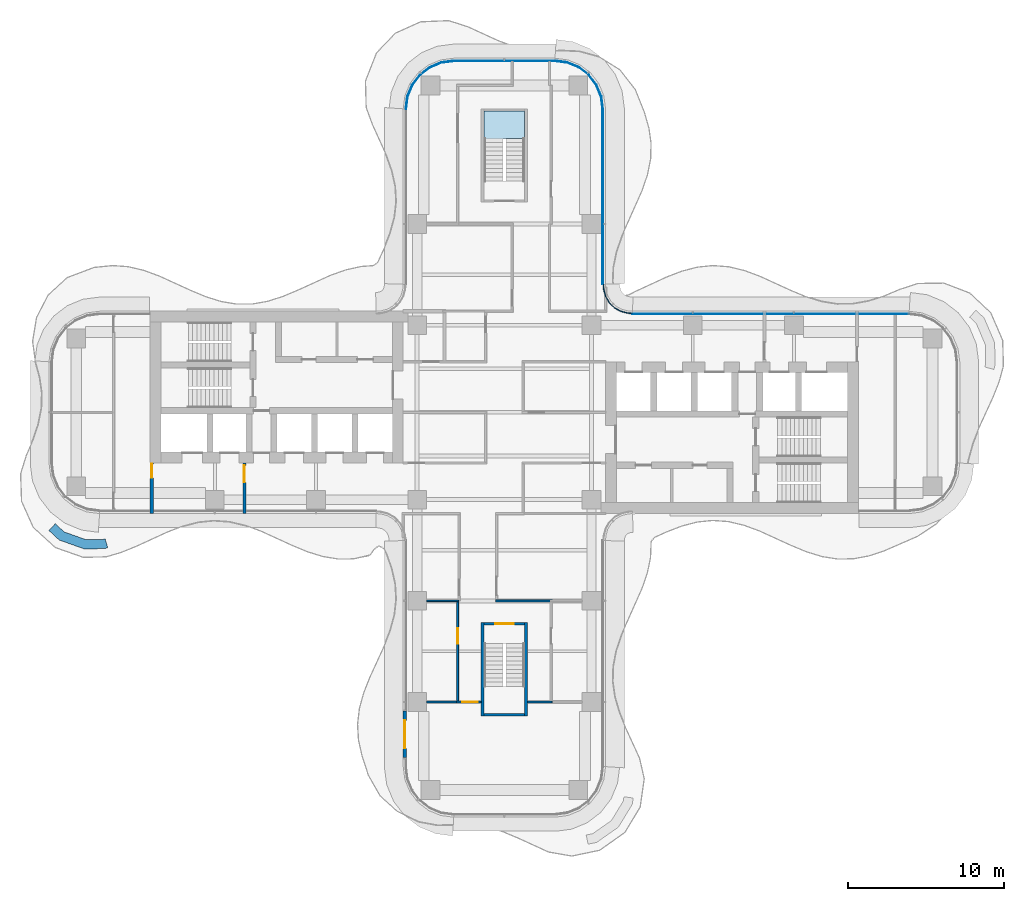
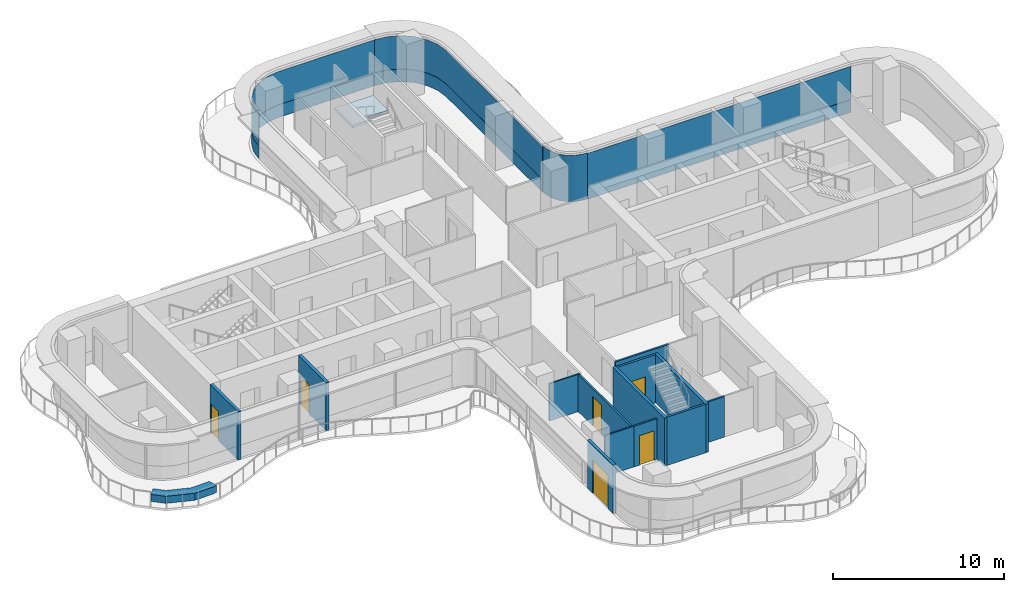
# One storey, part 11 of 17: 14 walls, 7 plates, 6 doors, 1 slab, 6 openings, 5 elements without a shape of their own.
"""IFC4 building model written with IfcOpenShell, lengths in metres."""

import ifcopenshell
import ifcopenshell.guid

model = None  # the IFC model being written
_history = None  # IfcOwnerHistory: only IFC2X3 demands one
_inside = {}  # id of a spatial element -> (the spatial element, [elements in it])
_under = {}  # id of a project, library or spatial element -> (it, [spatial elements below it])
_declared = {}  # id of a project -> (the project, [libraries it declares])
_typed = {}  # id of a type object -> (the type object, [elements of that type])
_made_of = {}  # id of a material, layer set ... -> (it, [elements and type objects made of it])


def new_model(schema):
    """Start an empty IFC model of exactly this schema.

    Asked for "IFC4X3", IfcOpenShell would pick the latest addendum, in which some entities
    have other attributes; the version numbers below select the first issue.
    IFC2X3 requires an IfcOwnerHistory on every rooted entity: one is made here for all.
    """
    global model, _history
    if schema == "IFC4X3":
        model = ifcopenshell.file(schema_version=(4, 3, 0, 0))
    else:
        model = ifcopenshell.file(schema=schema)
    _inside.clear()
    _under.clear()
    _declared.clear()
    _typed.clear()
    _made_of.clear()
    _history = None
    if model.schema == "IFC2X3":
        org = make("IfcOrganization", Name="unknown")
        user = make(
            "IfcPersonAndOrganization",
            ThePerson=make("IfcPerson", FamilyName="unknown"),
            TheOrganization=org,
        )
        app = make(
            "IfcApplication",
            ApplicationDeveloper=org,
            Version="unknown",
            ApplicationFullName="unknown",
            ApplicationIdentifier="unknown",
        )
        _history = make(
            "IfcOwnerHistory",
            OwningUser=user,
            OwningApplication=app,
            ChangeAction="ADDED",
            CreationDate=0,
        )
    return model


def make(cls, **values):
    """One entity of the class cls with the attributes given. An attribute that is None is left unset."""
    return model.create_entity(
        cls, **{name: value for name, value in values.items() if value is not None}
    )


def rooted(cls, **values):
    """An entity with a GlobalId (a new one), such as an element, a storey or a relation."""
    return make(cls, GlobalId=ifcopenshell.guid.new(), OwnerHistory=_history, **values)


def si_unit(unit_type, name, prefix=None):
    """IfcSIUnit, for example si_unit("LENGTHUNIT", "METRE", prefix="MILLI")."""
    return make("IfcSIUnit", UnitType=unit_type, Prefix=prefix, Name=name)


def assignment(units):
    """IfcUnitAssignment: the units of a project."""
    return None if units is None else make("IfcUnitAssignment", Units=units)


def point(xyz):
    """IfcCartesianPoint."""
    return None if xyz is None else make("IfcCartesianPoint", Coordinates=xyz)


def direction(xyz):
    """IfcDirection."""
    return None if xyz is None else make("IfcDirection", DirectionRatios=xyz)


def frame(location, z_axis=None, x_axis=None):
    """IfcAxis2Placement3D, a coordinate frame: its origin and axes. An axis left out is left unset."""
    return make(
        "IfcAxis2Placement3D",
        Location=point(location),
        Axis=direction(z_axis),
        RefDirection=direction(x_axis),
    )


def frame_2d(location, x_axis=None):
    """IfcAxis2Placement2D, a coordinate frame in the plane: its origin and x axis."""
    return make(
        "IfcAxis2Placement2D", Location=point(location), RefDirection=direction(x_axis)
    )


def origin():
    """The frame at (0, 0, 0) with its axes left unset."""
    return frame((0.0, 0.0, 0.0))


def place(relative_to, where):
    """IfcLocalPlacement: puts the frame where relative to a parent placement (None: the world)."""
    return make(
        "IfcLocalPlacement", PlacementRelTo=relative_to, RelativePlacement=where
    )


def context(
    kind, dimensions, precision=None, world=None, true_north=None, identifier=None
):
    """IfcGeometricRepresentationContext, for example the 3D "Model" context."""
    return make(
        "IfcGeometricRepresentationContext",
        ContextIdentifier=identifier,
        ContextType=kind,
        CoordinateSpaceDimension=dimensions,
        Precision=precision,
        WorldCoordinateSystem=world,
        TrueNorth=true_north,
    )


def subcontext(parent, identifier, kind, view, scale=None):
    """IfcGeometricRepresentationSubContext, for example "Body" below "Model"."""
    return make(
        "IfcGeometricRepresentationSubContext",
        ContextIdentifier=identifier,
        ContextType=kind,
        ParentContext=parent,
        TargetScale=scale,
        TargetView=view,
    )


def project(units=None, contexts=None):
    """IfcProject with its units and contexts."""
    return rooted(
        "IfcProject",
        Name="project",
        RepresentationContexts=contexts,
        UnitsInContext=assignment(units),
    )


def spatial(cls, under=None, at=None, **own):
    """A site, building, storey or space (cls), placed at a placement, below another one or the project."""
    s = rooted(cls, ObjectPlacement=at, **own)
    if under is not None:
        _under.setdefault(under.id(), (under, []))[1].append(s)
    return s


def polyline(points):
    """IfcPolyline through the points."""
    return make("IfcPolyline", Points=[point(p) for p in points])


def profile(cls, at=None, kind="AREA", **sizes):
    """A parametric profile (cls). Its sizes go by their IFC names, for example OverallWidth=200.0."""
    return make(cls, ProfileType=kind, Position=at, **sizes)


def rectangle(**sizes):
    """IfcRectangleProfileDef."""
    return profile("IfcRectangleProfileDef", **sizes)


def outline(outer, holes=None, kind="AREA"):
    """IfcArbitraryClosedProfileDef: a profile drawn as a closed curve; with holes, ...WithVoids."""
    if holes is None:
        return make("IfcArbitraryClosedProfileDef", ProfileType=kind, OuterCurve=outer)
    return make(
        "IfcArbitraryProfileDefWithVoids",
        ProfileType=kind,
        OuterCurve=outer,
        InnerCurves=holes,
    )


def extrude(swept, where, along, depth):
    """IfcExtrudedAreaSolid: the profile swept, set in the frame where, extruded along a direction by depth."""
    return make(
        "IfcExtrudedAreaSolid",
        SweptArea=swept,
        Position=where,
        ExtrudedDirection=direction(along),
        Depth=depth,
    )


def shape(context_of_items, identifier, shape_type, items):
    """IfcShapeRepresentation: the items that make up one representation, for example the "Body"."""
    return make(
        "IfcShapeRepresentation",
        ContextOfItems=context_of_items,
        RepresentationIdentifier=identifier,
        RepresentationType=shape_type,
        Items=items,
    )


def source(mapping_origin, context_of_items, identifier, shape_type, items):
    """IfcRepresentationMap: a shape defined once, which mapped items show again and again."""
    return make(
        "IfcRepresentationMap",
        MappingOrigin=mapping_origin,
        MappedRepresentation=shape(context_of_items, identifier, shape_type, items),
    )


def transform(
    local_origin,
    x_axis=None,
    y_axis=None,
    z_axis=None,
    scale=None,
    scale2=None,
    scale3=None,
    uniform=True,
):
    """IfcCartesianTransformationOperator3D, or its non-uniform kind. x_axis, y_axis, z_axis: its Axis1, 2, 3."""
    if uniform:
        return make(
            "IfcCartesianTransformationOperator3D",
            Axis1=direction(x_axis),
            Axis2=direction(y_axis),
            LocalOrigin=point(local_origin),
            Scale=scale,
            Axis3=direction(z_axis),
        )
    return make(
        "IfcCartesianTransformationOperator3DnonUniform",
        Axis1=direction(x_axis),
        Axis2=direction(y_axis),
        LocalOrigin=point(local_origin),
        Scale=scale,
        Axis3=direction(z_axis),
        Scale2=scale2,
        Scale3=scale3,
    )


def mapped(mapping_source, mapping_target):
    """IfcMappedItem: shows the shape of a source again, moved by a transform."""
    return make(
        "IfcMappedItem", MappingSource=mapping_source, MappingTarget=mapping_target
    )


def material(Name=None, Category=None):
    """IfcMaterial."""
    return make("IfcMaterial", Name=Name, Category=Category)


def layer(
    of_material, thickness, ventilated=None, Name=None, Category=None, Priority=None
):
    """IfcMaterialLayer: one layer of a wall or slab, of a material (None: an air gap)."""
    return make(
        "IfcMaterialLayer",
        Material=of_material,
        LayerThickness=thickness,
        IsVentilated=ventilated,
        Name=Name,
        Category=Category,
        Priority=Priority,
    )


def layer_set(layers, Name=None):
    """IfcMaterialLayerSet."""
    return make("IfcMaterialLayerSet", MaterialLayers=layers, LayerSetName=Name)


def made_of(thing, what):
    """Note that an element or type object is made of a material, layer set ...; save() writes the relation."""
    if what is not None:
        _made_of.setdefault(what.id(), (what, []))[1].append(thing)
    return thing


def type_object(cls, material=None, **own):
    """A type object (cls), such as IfcWallType, which elements share."""
    return made_of(rooted(cls, **own), material)


def element(
    cls,
    number,
    at=None,
    inside=None,
    cuts=None,
    type_object=None,
    material=None,
    context=None,
    identifier="Body",
    shape_type=None,
    held_by="IfcProductDefinitionShape",
    body=None,
    shapes=None,
    **own,
):
    """One element of the class cls, such as IfcWall. Its Tag is "e" and its number.

    at: its placement. inside: the storey or other place that contains it. cuts: it is an
    opening in that element (IfcRelVoidsElement). A single representation is given by context,
    identifier, shape_type and body (its items); several are given by shapes. held_by: the class
    of the entity that holds the representations. save() writes the other relations.
    """
    e = rooted(cls, Tag="e%d" % number, ObjectPlacement=at, **own)
    if body is not None:
        shapes = [shape(context, identifier, shape_type, body)]
    if shapes is not None:
        e.Representation = make(held_by, Representations=shapes)
    if inside is not None:
        _inside.setdefault(inside.id(), (inside, []))[1].append(e)
    if cuts is not None:
        rooted(
            "IfcRelVoidsElement", RelatingBuildingElement=cuts, RelatedOpeningElement=e
        )
    if type_object is not None:
        _typed.setdefault(type_object.id(), (type_object, []))[1].append(e)
    return made_of(e, material)


def fill(opening, filler):
    """IfcRelFillsElement: the door or window that sits in an opening."""
    return rooted(
        "IfcRelFillsElement",
        RelatingOpeningElement=opening,
        RelatedBuildingElement=filler,
    )


def aggregate(whole, parts):
    """IfcRelAggregates: a whole, such as a stair, and the parts it consists of."""
    return rooted("IfcRelAggregates", RelatingObject=whole, RelatedObjects=parts)


def save(model, path):
    """Write the relations noted so far, then the file.

    IfcRelAggregates (storeys below a building ...), IfcRelContainedInSpatialStructure (elements
    in a storey), IfcRelDefinesByType, IfcRelAssociatesMaterial and IfcRelDeclares: one each for
    every whole, place, type object, material and project.
    """
    for whole, parts in _under.values():
        aggregate(whole, parts)
    for where, things in _inside.values():
        rooted(
            "IfcRelContainedInSpatialStructure",
            RelatedElements=things,
            RelatingStructure=where,
        )
    for kind, things in _typed.values():
        rooted("IfcRelDefinesByType", RelatedObjects=things, RelatingType=kind)
    for what, things in _made_of.values():
        rooted("IfcRelAssociatesMaterial", RelatedObjects=things, RelatingMaterial=what)
    for by, libraries in _declared.values():
        rooted("IfcRelDeclares", RelatingContext=by, RelatedDefinitions=libraries)
    model.write(path)


model = new_model("IFC4")

# Units and contexts
model_context = context("Model", 3, precision=1e-05, world=origin(), true_north=direction((0.0, 1.0)))
body_context = subcontext(model_context, "Body", "Model", "MODEL_VIEW")
ifc_project = project(units=[si_unit("LENGTHUNIT", "METRE"), si_unit("AREAUNIT", "SQUARE_METRE"), si_unit("VOLUMEUNIT", "CUBIC_METRE"), si_unit("PLANEANGLEUNIT", "RADIAN"), si_unit("MASSUNIT", "GRAM", prefix="KILO")], contexts=[model_context])

# Site, building, storey
site_placement = place(None, origin())
site = spatial("IfcSite", under=ifc_project, at=site_placement, CompositionType="ELEMENT")
building_placement = place(site_placement, origin())
building = spatial("IfcBuilding", under=site, at=building_placement, Name="Trellis Farm Tower", CompositionType="ELEMENT")
storey_placement = place(building_placement, frame((0.0, 0.0, 208.800048828125)))
storey = spatial("IfcBuildingStorey", under=building, at=storey_placement, Name="L46", CompositionType="ELEMENT", Elevation=208.800048828125)

# Curtain wall, plate
ifc_material_1 = material(Name="Aluminium and glass curtain wall", Category="aluminium")
ifc_layer_1 = layer(ifc_material_1, 0.18994140625)
ifc_layer_set_1 = layer_set([ifc_layer_1], Name="RIBBON CURTAIN WALL CW1")
curtain_wall_type_1 = type_object("IfcCurtainWallType", Name="RIBBON CURTAIN WALL CW1", PredefinedType="NOTDEFINED", material=ifc_layer_set_1)
placement_1 = place(storey_placement, origin())
curtain_wall_1 = element("IfcCurtainWall", 1, at=placement_1, inside=storey, type_object=curtain_wall_type_1, Name="CW1 008", PredefinedType="NOTDEFINED")
ifc_material_2 = material(Name="Clear insulated glass", Category="glass")
ifc_layer_2 = layer(ifc_material_2, 0.0400390625)
ifc_layer_set_2 = layer_set([ifc_layer_2], Name="CW1 GLASS PANEL 40")
plate_type_1 = type_object("IfcPlateType", Name="CW1 GLASS PANEL 40", PredefinedType="CURTAIN_PANEL", material=ifc_layer_set_2)
placement_2 = place(storey_placement, frame((0.0, 0.0, 0.89990234375)))
plate_1 = element("IfcPlate", 2, at=placement_2, type_object=plate_type_1, Name="PL1 008", PredefinedType="CURTAIN_PANEL", context=body_context, shape_type="SweptSolid", body=[
    extrude(outline(polyline([(25.990234375, 6.35009765625), (8.2265625, 6.35009765625), (8.22509765625, 6.31005859375), (25.987548828125, 6.31005859375), (25.990234375, 6.35009765625)])), origin(), (0.0, 0.0, 1.0), 2.3701171875),
])

# Stair, slab
ifc_material_3 = material(Name="Concrete C50/60", Category="concrete")
stair_type = type_object("IfcStairType", Name="CORE EXIT STAIR 22 RISERS 177 MM", PredefinedType="HALF_TURN_STAIR", material=ifc_material_3)
stair = element("IfcStair", 3, at=placement_1, inside=storey, type_object=stair_type, Name="Exit stair N", PredefinedType="HALF_TURN_STAIR")
ifc_layer_3 = layer(ifc_material_3, 0.18994140625)
ifc_layer_set_3 = layer_set([ifc_layer_3], Name="CORE STAIR LANDING 190 CONCRETE C50/60")
slab_type = type_object("IfcSlabType", Name="CORE STAIR LANDING 190 CONCRETE C50/60", PredefinedType="LANDING", material=ifc_layer_set_3)
shared_shape_1 = source(origin(), body_context, "Body", "SweptSolid", [
    extrude(outline(polyline([(-0.10009765625, 17.27197265625), (-1.300048828125, 17.27197265625), (-1.300048828125, 17.60009765625), (-1.300048828125, 19.35009765625), (1.300048828125, 19.35009765625), (1.300048828125, 17.60009765625), (1.300048828125, 17.590087890625), (0.10009765625, 17.590087890625), (0.10009765625, 17.60009765625), (-0.10009765625, 17.60009765625), (-0.10009765625, 17.27197265625)])), origin(), (0.0, 0.0, 1.0), 0.18994140625),
])
slab_placement = place(storey_placement, frame((0.0, 0.0, 1.760009765625)))
slab = element("IfcSlab", 4, at=slab_placement, type_object=slab_type, Name="STN landing 1", PredefinedType="LANDING", context=body_context, shape_type="MappedRepresentation", body=[
    mapped(shared_shape_1, transform((0.0, 0.0, 0.0))),
])
aggregate(stair, [slab])

# Plate
ifc_material_4 = material(Name="Sandstone faced insulated panel", Category="masonry")
ifc_layer_4 = layer(ifc_material_4, 0.050048828125)
ifc_layer_set_4 = layer_set([ifc_layer_4], Name="CW1 STONE SPANDREL PANEL 50")
plate_type_2 = type_object("IfcPlateType", Name="CW1 STONE SPANDREL PANEL 50", PredefinedType="CURTAIN_PANEL", material=ifc_layer_set_4)
shared_shape_2 = source(origin(), body_context, "Body", "SweptSolid", [
    extrude(outline(polyline([(25.990234375, 6.35009765625), (8.2265625, 6.35009765625), (8.224853515625, 6.300048828125), (25.98681640625, 6.300048828125), (25.990234375, 6.35009765625)])), origin(), (0.0, 0.0, 1.0), 0.89990234375),
])
plate_2 = element("IfcPlate", 5, at=placement_1, type_object=plate_type_2, Name="PS1 008", PredefinedType="CURTAIN_PANEL", context=body_context, shape_type="MappedRepresentation", body=[
    mapped(shared_shape_2, transform((0.0, 0.0, 0.0))),
])

aggregate(curtain_wall_1, [plate_1, plate_2])

# Curtain wall, plate
curtain_wall_2 = element("IfcCurtainWall", 6, at=placement_1, inside=storey, type_object=curtain_wall_type_1, Name="CW1 009", PredefinedType="NOTDEFINED")
shared_shape_3 = source(origin(), body_context, "Body", "SweptSolid", [
    extrude(outline(polyline([(6.35009765625, 8.2265625), (6.35009765625, 19.490234375), (6.2431640625, 20.302001953125), (5.93359375, 21.04931640625), (5.441162109375, 21.691162109375), (4.79931640625, 22.18359375), (4.052001953125, 22.4931640625), (3.240234375, 22.60009765625), (3.23681640625, 22.550048828125), (4.0390625, 22.4443359375), (4.774169921875, 22.139892578125), (5.405517578125, 21.655517578125), (5.889892578125, 21.024169921875), (6.1943359375, 20.2890625), (6.300048828125, 19.48681640625), (6.300048828125, 8.224853515625), (6.35009765625, 8.2265625)])), origin(), (0.0, 0.0, 1.0), 0.89990234375),
])
plate_3 = element("IfcPlate", 7, at=placement_1, type_object=plate_type_2, Name="PS1 009", PredefinedType="CURTAIN_PANEL", context=body_context, shape_type="MappedRepresentation", body=[
    mapped(shared_shape_3, transform((0.0, 0.0, 0.0))),
])

curtain_wall_3 = element("IfcCurtainWall", 8, at=placement_1, inside=storey, type_object=curtain_wall_type_1, Name="CW1 010", PredefinedType="NOTDEFINED")
shared_shape_4 = source(origin(), body_context, "Body", "SweptSolid", [
    extrude(outline(polyline([(3.240234375, 22.60009765625), (-3.240234375, 22.60009765625), (-4.052001953125, 22.4931640625), (-4.79931640625, 22.18359375), (-5.441162109375, 21.691162109375), (-5.93359375, 21.04931640625), (-6.2431640625, 20.302001953125), (-6.35009765625, 19.490234375), (-6.300048828125, 19.48681640625), (-6.1943359375, 20.2890625), (-5.889892578125, 21.024169921875), (-5.405517578125, 21.655517578125), (-4.774169921875, 22.139892578125), (-4.0390625, 22.4443359375), (-3.23681640625, 22.550048828125), (3.23681640625, 22.550048828125), (3.240234375, 22.60009765625)])), origin(), (0.0, 0.0, 1.0), 0.89990234375),
])
plate_4 = element("IfcPlate", 9, at=placement_1, type_object=plate_type_2, Name="PS1 010", PredefinedType="CURTAIN_PANEL", context=body_context, shape_type="MappedRepresentation", body=[
    mapped(shared_shape_4, transform((0.0, 0.0, 0.0))),
])

ifc_layer_5 = layer(ifc_material_1, 0.166015625)
ifc_layer_set_5 = layer_set([ifc_layer_5], Name="WINTER GARDEN CURTAIN WALL CW3")
curtain_wall_type_2 = type_object("IfcCurtainWallType", Name="WINTER GARDEN CURTAIN WALL CW3", PredefinedType="NOTDEFINED", material=ifc_layer_set_5)
curtain_wall_4 = element("IfcCurtainWall", 10, at=placement_1, inside=storey, type_object=curtain_wall_type_2, Name="CW3 003", PredefinedType="NOTDEFINED")
ifc_layer_6 = layer(ifc_material_2, 0.0458984375)
ifc_layer_set_6 = layer_set([ifc_layer_6], Name="CW3 GLASS PANEL 46")
plate_type_3 = type_object("IfcPlateType", Name="CW3 GLASS PANEL 46", PredefinedType="CURTAIN_PANEL", material=ifc_layer_set_6)
shared_shape_5 = source(origin(), body_context, "Body", "SweptSolid", [
    extrude(outline(polyline([(8.2275390625, 6.3798828125), (8.0078125, 6.394287109375), (7.89208984375, 6.40966796875), (7.462158203125, 6.52490234375), (7.070556640625, 6.7509765625), (6.7509765625, 7.070556640625), (6.52490234375, 7.462158203125), (6.40966796875, 7.89208984375), (6.394287109375, 8.0078125), (6.3798828125, 8.2275390625), (6.333984375, 8.22607421875), (6.3486328125, 8.003173828125), (6.364501953125, 7.883056640625), (6.48193359375, 7.4443359375), (6.714111328125, 7.04248046875), (7.04248046875, 6.714111328125), (7.4443359375, 6.48193359375), (7.883056640625, 6.364501953125), (8.003173828125, 6.3486328125), (8.22607421875, 6.333984375), (8.2275390625, 6.3798828125)])), origin(), (0.0, 0.0, 1.0), 3.300048828125),
])
plate_5 = element("IfcPlate", 11, at=placement_1, type_object=plate_type_3, Name="PL3 003", PredefinedType="CURTAIN_PANEL", context=body_context, shape_type="MappedRepresentation", body=[
    mapped(shared_shape_5, transform((0.0, 0.0, 0.0))),
])
aggregate(curtain_wall_4, [plate_5])

# Plate
shared_shape_6 = source(origin(), body_context, "Body", "SweptSolid", [
    extrude(outline(polyline([(6.35009765625, 8.2265625), (6.35009765625, 19.490234375), (6.2431640625, 20.302001953125), (5.93359375, 21.04931640625), (5.441162109375, 21.691162109375), (4.79931640625, 22.18359375), (4.052001953125, 22.4931640625), (3.240234375, 22.60009765625), (3.237548828125, 22.56005859375), (4.04150390625, 22.4541015625), (4.779296875, 22.148681640625), (5.41259765625, 21.66259765625), (5.898681640625, 21.029296875), (6.2041015625, 20.29150390625), (6.31005859375, 19.487548828125), (6.31005859375, 8.22509765625), (6.35009765625, 8.2265625)])), origin(), (0.0, 0.0, 1.0), 2.3701171875),
])
plate_6 = element("IfcPlate", 12, at=placement_2, type_object=plate_type_1, Name="PL1 009", PredefinedType="CURTAIN_PANEL", context=body_context, shape_type="MappedRepresentation", body=[
    mapped(shared_shape_6, transform((0.0, 0.0, 0.0))),
])

aggregate(curtain_wall_2, [plate_6, plate_3])

shared_shape_7 = source(origin(), body_context, "Body", "SweptSolid", [
    extrude(outline(polyline([(3.240234375, 22.60009765625), (-3.240234375, 22.60009765625), (-4.052001953125, 22.4931640625), (-4.79931640625, 22.18359375), (-5.441162109375, 21.691162109375), (-5.93359375, 21.04931640625), (-6.2431640625, 20.302001953125), (-6.35009765625, 19.490234375), (-6.31005859375, 19.487548828125), (-6.2041015625, 20.29150390625), (-5.898681640625, 21.029296875), (-5.41259765625, 21.66259765625), (-4.779296875, 22.148681640625), (-4.04150390625, 22.4541015625), (-3.237548828125, 22.56005859375), (3.237548828125, 22.56005859375), (3.240234375, 22.60009765625)])), origin(), (0.0, 0.0, 1.0), 2.3701171875),
])
plate_7 = element("IfcPlate", 13, at=placement_2, type_object=plate_type_1, Name="PL1 010", PredefinedType="CURTAIN_PANEL", context=body_context, shape_type="MappedRepresentation", body=[
    mapped(shared_shape_7, transform((0.0, 0.0, 0.0))),
])

aggregate(curtain_wall_3, [plate_7, plate_4])

# Wall
ifc_material_5 = material(Name="Sandstone faced masonry planter", Category="masonry")
ifc_layer_7 = layer(ifc_material_5, 0.60009765625)
ifc_layer_set_7 = layer_set([ifc_layer_7], Name="PLANTER BED 600")
wall_type_1 = type_object("IfcWallType", Name="PLANTER BED 600", PredefinedType="USERDEFINED", material=ifc_layer_set_7)
element("IfcWall", 14, at=placement_1, inside=storey, type_object=wall_type_1, Name="PLANTER bed", ObjectType="PLANTER", PredefinedType="USERDEFINED", context=body_context, shape_type="SweptSolid", body=[
    extrude(outline(polyline([(-26.967041015625, -8.77490234375), (-28.59521484375, -8.197509765625), (-29.25390625, -7.586181640625), (-28.845703125, -7.146240234375), (-28.27783203125, -7.673583984375), (-26.8701171875, -8.172607421875), (-25.7646484375, -8.1484375), (-25.641845703125, -8.1123046875), (-25.471923828125, -8.687744140625), (-25.671630859375, -8.74658203125), (-26.967041015625, -8.77490234375)])), origin(), (0.0, 0.0, 1.0), 0.5),
])

# Wall, opening, door
ifc_material_6 = material(Name="Masonry blockwork", Category="masonry")
ifc_layer_8 = layer(ifc_material_6, 0.199951171875)
ifc_layer_set_8 = layer_set([ifc_layer_8], Name="FIRE LOBBY PARTITION 200 BLOCKWORK")
wall_type_2 = type_object("IfcWallType", Name="FIRE LOBBY PARTITION 200 BLOCKWORK", PredefinedType="PARTITIONING", material=ifc_layer_set_8)
shared_shape_8 = source(origin(), body_context, "Body", "SweptSolid", [
    extrude(rectangle(XDim=3.25, YDim=0.199951171875, at=frame_2d((1.625, 0.0))), origin(), (0.0, 0.0, 1.0), 3.449951171875),
])
wall_2_placement = place(storey_placement, frame((-16.699951171875, -3.25, 0.0), z_axis=(0.0, 0.0, 1.0), x_axis=(0.0, -1.0, 0.0)))
wall_2 = element("IfcWall", 15, at=wall_2_placement, inside=storey, type_object=wall_type_2, Name="Fire-fighting lobby partition", PredefinedType="PARTITIONING", context=body_context, shape_type="MappedRepresentation", body=[
    mapped(shared_shape_8, transform((0.0, 0.0, 0.0))),
])
shared_shape_9 = source(origin(), body_context, "Body", "SweptSolid", [
    extrude(rectangle(XDim=1.10009765625, YDim=2.10009765625, at=frame_2d((0.550048828125, 1.050048828125))), frame((0.0, 0.110107421875, 0.0), z_axis=(0.0, -1.0, 0.0), x_axis=(1.0, 0.0, 0.0)), (0.0, 0.0, 1.0), 0.22021484375),
])
opening_1_placement = place(wall_2_placement, frame((0.14990234375, 0.0, 0.0)))
opening_1 = element("IfcOpeningElement", 16, at=opening_1_placement, cuts=wall_2, Name="Opening DC93", PredefinedType="OPENING", context=body_context, shape_type="MappedRepresentation", body=[
    mapped(shared_shape_9, transform((0.0, 0.0, 0.0))),
])
ifc_material_7 = material(Name="Steel", Category="steel")
door_type_1 = type_object("IfcDoorType", Name="CORE FIRE DOOR 1100 X 2100", OperationType="NOTDEFINED", PredefinedType="DOOR", material=ifc_material_7)
shared_shape_10 = source(origin(), body_context, "Body", "SweptSolid", [
    extrude(rectangle(XDim=1.10009765625, YDim=2.10009765625, at=frame_2d((0.550048828125, 1.050048828125))), frame((0.0, 0.02490234375, 0.0), z_axis=(0.0, -1.0, 0.0), x_axis=(1.0, 0.0, 0.0)), (0.0, 0.0, 1.0), 0.050048828125),
])
door_1_placement = place(opening_1_placement, origin())
door_1 = element("IfcDoor", 17, at=door_1_placement, inside=storey, type_object=door_type_1, Name="Core door", OperationType="SINGLE_SWING_RIGHT", OverallHeight=2.10009765625, OverallWidth=1.10009765625, PredefinedType="DOOR", context=body_context, shape_type="MappedRepresentation", body=[
    mapped(shared_shape_10, transform((0.0, 0.0, 0.0))),
])
fill(opening_1, door_1)

wall_3_placement = place(storey_placement, frame((-22.64990234375, -3.25, 0.0), z_axis=(0.0, 0.0, 1.0), x_axis=(0.0, -1.0, 0.0)))
wall_3 = element("IfcWall", 18, at=wall_3_placement, inside=storey, type_object=wall_type_2, Name="Fire-fighting lobby partition", PredefinedType="PARTITIONING", context=body_context, shape_type="MappedRepresentation", body=[
    mapped(shared_shape_8, transform((0.0, 0.0, 0.0))),
])
shared_shape_11 = source(origin(), body_context, "Body", "SweptSolid", [
    extrude(rectangle(XDim=0.89990234375, YDim=2.10009765625, at=frame_2d((0.449951171875, 1.050048828125))), frame((0.0, 0.110107421875, 0.0), z_axis=(0.0, -1.0, 0.0), x_axis=(1.0, 0.0, 0.0)), (0.0, 0.0, 1.0), 0.22021484375),
])
opening_2_placement = place(wall_3_placement, frame((0.050048828125, 0.0, 0.0)))
opening_2 = element("IfcOpeningElement", 19, at=opening_2_placement, cuts=wall_3, Name="Opening DC94", PredefinedType="OPENING", context=body_context, shape_type="MappedRepresentation", body=[
    mapped(shared_shape_11, transform((0.0, 0.0, 0.0))),
])
door_type_2 = type_object("IfcDoorType", Name="CORE FIRE DOOR 900 X 2100", OperationType="NOTDEFINED", PredefinedType="DOOR", material=ifc_material_7)
shared_shape_12 = source(origin(), body_context, "Body", "SweptSolid", [
    extrude(rectangle(XDim=0.89990234375, YDim=2.10009765625, at=frame_2d((0.449951171875, 1.050048828125))), frame((0.0, 0.02490234375, 0.0), z_axis=(0.0, -1.0, 0.0), x_axis=(1.0, 0.0, 0.0)), (0.0, 0.0, 1.0), 0.050048828125),
])
door_2_placement = place(opening_2_placement, origin())
door_2 = element("IfcDoor", 20, at=door_2_placement, inside=storey, type_object=door_type_2, Name="Core door", OperationType="SINGLE_SWING_RIGHT", OverallHeight=2.10009765625, OverallWidth=0.89990234375, PredefinedType="DOOR", context=body_context, shape_type="MappedRepresentation", body=[
    mapped(shared_shape_12, transform((0.0, 0.0, 0.0))),
])
fill(opening_2, door_2)

# Walls
ifc_material_8 = material(Name="Concrete C70/85", Category="concrete")
ifc_layer_9 = layer(ifc_material_8, 0.199951171875)
ifc_layer_set_9 = layer_set([ifc_layer_9], Name="CORE STAIR ENCLOSURE WALL 200 CONCRETE C70/85")
wall_type_3 = type_object("IfcWallType", Name="CORE STAIR ENCLOSURE WALL 200 CONCRETE C70/85", PredefinedType="SHEAR", material=ifc_layer_set_9)
shared_shape_13 = source(origin(), body_context, "Body", "SweptSolid", [
    extrude(rectangle(XDim=6.0, YDim=0.199951171875, at=frame_2d((3.0, 0.0))), origin(), (0.0, 0.0, 1.0), 3.449951171875),
])
for number, where, z_axis, x_axis, name in (
    (21, (1.39990234375, -13.5, 0.0), (0.0, 0.0, 1.0), (0.0, -1.0, 0.0), "Stair enclosure wall"),
    (22, (-1.39990234375, -13.5, 0.0), (0.0, 0.0, 1.0), (0.0, -1.0, 0.0), "Stair enclosure wall"),
):
    element("IfcWall", number, at=place(storey_placement, frame(where, z_axis=z_axis, x_axis=x_axis)), inside=storey, type_object=wall_type_3, Name=name, PredefinedType="SHEAR", context=body_context, shape_type="MappedRepresentation", body=[
        mapped(shared_shape_13, transform((0.0, 0.0, 0.0))),
    ])

# Wall, opening, door
ifc_layer_10 = layer(ifc_material_8, 0.14990234375)
ifc_layer_set_10 = layer_set([ifc_layer_10], Name="CORE STAIR ENCLOSURE WALL 150 CONCRETE C70/85")
wall_type_4 = type_object("IfcWallType", Name="CORE STAIR ENCLOSURE WALL 150 CONCRETE C70/85", PredefinedType="SHEAR", material=ifc_layer_set_10)
shared_shape_14 = source(origin(), body_context, "Body", "SweptSolid", [
    extrude(rectangle(XDim=2.60009765625, YDim=0.14990234375, at=frame_2d((1.300048828125, 0.0))), origin(), (0.0, 0.0, 1.0), 3.449951171875),
])
wall_4_placement = place(storey_placement, frame((1.300048828125, -13.574951171875, 0.0), z_axis=(0.0, 0.0, 1.0), x_axis=(-1.0, 0.0, 0.0)))
wall_4 = element("IfcWall", 23, at=wall_4_placement, inside=storey, type_object=wall_type_4, Name="Stair enclosure wall", PredefinedType="SHEAR", context=body_context, shape_type="MappedRepresentation", body=[
    mapped(shared_shape_14, transform((0.0, 0.0, 0.0))),
])
shared_shape_15 = source(origin(), body_context, "Body", "SweptSolid", [
    extrude(rectangle(XDim=1.199951171875, YDim=2.10009765625, at=frame_2d((0.60009765625, 1.050048828125))), frame((0.0, 0.0849609375, 0.0), z_axis=(0.0, -1.0, 0.0), x_axis=(1.0, 0.0, 0.0)), (0.0, 0.0, 1.0), 0.169921875),
])
opening_3_placement = place(wall_4_placement, frame((0.699951171875, 0.0, 0.0)))
opening_3 = element("IfcOpeningElement", 24, at=opening_3_placement, cuts=wall_4, Name="Opening DC174", PredefinedType="OPENING", context=body_context, shape_type="MappedRepresentation", body=[
    mapped(shared_shape_15, transform((0.0, 0.0, 0.0))),
])
door_type_3 = type_object("IfcDoorType", Name="CORE FIRE DOOR 1200 X 2100", OperationType="NOTDEFINED", PredefinedType="DOOR", material=ifc_material_7)
shared_shape_16 = source(origin(), body_context, "Body", "SweptSolid", [
    extrude(rectangle(XDim=1.199951171875, YDim=2.10009765625, at=frame_2d((0.60009765625, 1.050048828125))), frame((0.0, 0.02490234375, 0.0), z_axis=(0.0, -1.0, 0.0), x_axis=(1.0, 0.0, 0.0)), (0.0, 0.0, 1.0), 0.050048828125),
])
door_3_placement = place(opening_3_placement, origin())
door_3 = element("IfcDoor", 25, at=door_3_placement, inside=storey, type_object=door_type_3, Name="Core door", OperationType="SINGLE_SWING_RIGHT", OverallHeight=2.10009765625, OverallWidth=1.199951171875, PredefinedType="DOOR", context=body_context, shape_type="MappedRepresentation", body=[
    mapped(shared_shape_16, transform((0.0, 0.0, 0.0))),
])
fill(opening_3, door_3)

# Wall
wall_5_placement = place(storey_placement, frame((1.300048828125, -19.425048828125, 0.0), z_axis=(0.0, 0.0, 1.0), x_axis=(-1.0, 0.0, 0.0)))
element("IfcWall", 26, at=wall_5_placement, inside=storey, type_object=wall_type_4, Name="Stair enclosure wall", PredefinedType="SHEAR", context=body_context, shape_type="MappedRepresentation", body=[
    mapped(shared_shape_14, transform((0.0, 0.0, 0.0))),
])

# Wall, opening, door
ifc_material_9 = material(Name="Sandstone faced insulated wall", Category="masonry")
ifc_layer_11 = layer(ifc_material_9, 0.199951171875)
ifc_layer_set_11 = layer_set([ifc_layer_11], Name="EXTERNAL INFILL WALL 200")
wall_type_5 = type_object("IfcWallType", Name="EXTERNAL INFILL WALL 200", PredefinedType="SOLIDWALL", material=ifc_layer_set_11)
shared_shape_17 = source(origin(), body_context, "Body", "SweptSolid", [
    extrude(rectangle(XDim=3.0, YDim=0.199951171875, at=frame_2d((1.5, 0.0))), origin(), (0.0, 0.0, 1.0), 3.449951171875),
])
wall_6_placement = place(storey_placement, frame((-6.39990234375, -19.175048828125, 0.0), z_axis=(0.0, 0.0, 1.0), x_axis=(0.0, -1.0, 0.0)))
wall_6 = element("IfcWall", 27, at=wall_6_placement, inside=storey, type_object=wall_type_5, Name="EW1 01", PredefinedType="SOLIDWALL", context=body_context, shape_type="MappedRepresentation", body=[
    mapped(shared_shape_17, transform((0.0, 0.0, 0.0))),
])
shared_shape_18 = source(origin(), body_context, "Body", "SweptSolid", [
    extrude(rectangle(XDim=1.800048828125, YDim=2.39990234375, at=frame_2d((0.89990234375, 1.199951171875))), frame((0.0, 0.110107421875, 0.0), z_axis=(0.0, -1.0, 0.0), x_axis=(1.0, 0.0, 0.0)), (0.0, 0.0, 1.0), 0.22021484375),
])
opening_4_placement = place(wall_6_placement, frame((0.60009765625, 0.0, 0.0)))
opening_4 = element("IfcOpeningElement", 28, at=opening_4_placement, cuts=wall_6, Name="Opening ED1", PredefinedType="OPENING", context=body_context, shape_type="MappedRepresentation", body=[
    mapped(shared_shape_18, transform((0.0, 0.0, 0.0))),
])
ifc_material_10 = material(Name="Aluminium framed glazed door", Category="aluminium")
door_type_4 = type_object("IfcDoorType", Name="BALCONY DOOR 1800x2400", OperationType="DOUBLE_DOOR_SINGLE_SWING", PredefinedType="DOOR", material=ifc_material_10)
shared_shape_19 = source(origin(), body_context, "Body", "SweptSolid", [
    extrude(rectangle(XDim=1.800048828125, YDim=2.39990234375, at=frame_2d((0.89990234375, 1.199951171875))), frame((0.0, 0.02490234375, 0.0), z_axis=(0.0, -1.0, 0.0), x_axis=(1.0, 0.0, 0.0)), (0.0, 0.0, 1.0), 0.050048828125),
])
door_4_placement = place(opening_4_placement, origin())
door_4 = element("IfcDoor", 29, at=door_4_placement, inside=storey, type_object=door_type_4, Name="Balcony door", OperationType="DOUBLE_DOOR_SINGLE_SWING", OverallHeight=2.39990234375, OverallWidth=1.800048828125, PredefinedType="DOOR", context=body_context, shape_type="MappedRepresentation", body=[
    mapped(shared_shape_19, transform((0.0, 0.0, 0.0))),
])
fill(opening_4, door_4)

ifc_material_11 = material(Name="Plasterboard on steel studs, mineral wool", Category="steel")
ifc_layer_12 = layer(ifc_material_11, 0.125)
ifc_layer_set_12 = layer_set([ifc_layer_12], Name="PARTITION 125 STUD EI 60")
wall_type_6 = type_object("IfcWallType", Name="PARTITION 125 STUD EI 60", PredefinedType="PARTITIONING", material=ifc_layer_set_12)
shared_shape_20 = source(origin(), body_context, "Body", "SweptSolid", [
    extrude(rectangle(XDim=6.400146484375, YDim=0.125, at=frame_2d((3.2001953125, 0.0))), origin(), (0.0, 0.0, 1.0), 2.667724609375),
])
wall_7_placement = place(storey_placement, frame((-3.0, -18.550048828125, 0.0), z_axis=(0.0, 0.0, 1.0), x_axis=(0.0, 1.0, 0.0)))
wall_7 = element("IfcWall", 30, at=wall_7_placement, inside=storey, type_object=wall_type_6, Name="Partition PW1", PredefinedType="PARTITIONING", context=body_context, shape_type="MappedRepresentation", body=[
    mapped(shared_shape_20, transform((0.0, 0.0, 0.0))),
])
shared_shape_21 = source(origin(), body_context, "Body", "SweptSolid", [
    extrude(rectangle(XDim=1.0, YDim=2.10009765625, at=frame_2d((0.5, 1.050048828125))), frame((0.0, 0.072509765625, 0.0), z_axis=(0.0, -1.0, 0.0), x_axis=(1.0, 0.0, 0.0)), (0.0, 0.0, 1.0), 0.14501953125),
])
opening_5_placement = place(wall_7_placement, frame((3.699951171875, 0.0, 0.0)))
opening_5 = element("IfcOpeningElement", 31, at=opening_5_placement, cuts=wall_7, Name="Opening D102", PredefinedType="OPENING", context=body_context, shape_type="MappedRepresentation", body=[
    mapped(shared_shape_21, transform((0.0, 0.0, 0.0))),
])
ifc_material_12 = material(Name="Fire-rated timber door leaf in a hollow metal frame", Category="wood")
door_type_5 = type_object("IfcDoorType", Name="DOOR 1000x2100 FD30S", OperationType="NOTDEFINED", PredefinedType="DOOR", material=ifc_material_12)
shared_shape_22 = source(origin(), body_context, "Body", "SweptSolid", [
    extrude(rectangle(XDim=1.0, YDim=2.10009765625, at=frame_2d((0.5, 1.050048828125))), frame((0.0, 0.02490234375, 0.0), z_axis=(0.0, -1.0, 0.0), x_axis=(1.0, 0.0, 0.0)), (0.0, 0.0, 1.0), 0.050048828125),
])
door_5_placement = place(opening_5_placement, origin())
door_5 = element("IfcDoor", 32, at=door_5_placement, inside=storey, type_object=door_type_5, Name="Door D102", OperationType="SINGLE_SWING_RIGHT", OverallHeight=2.10009765625, OverallWidth=1.0, PredefinedType="DOOR", context=body_context, shape_type="MappedRepresentation", body=[
    mapped(shared_shape_22, transform((0.0, 0.0, 0.0))),
])
fill(opening_5, door_5)

# Wall
ifc_material_13 = material(Name="Plasterboard on steel studs", Category="steel")
ifc_layer_13 = layer(ifc_material_13, 0.10009765625)
ifc_layer_set_13 = layer_set([ifc_layer_13], Name="PARTITION 100 STUD EI 30")
wall_type_7 = type_object("IfcWallType", Name="PARTITION 100 STUD EI 30", PredefinedType="PARTITIONING", material=ifc_layer_set_13)
shared_shape_23 = source(origin(), body_context, "Body", "SweptSolid", [
    extrude(rectangle(XDim=2.0625, YDim=0.10009765625, at=frame_2d((1.03125, 0.0))), origin(), (0.0, 0.0, 1.0), 2.89697265625),
])
wall_8_placement = place(storey_placement, frame((-5.0, -18.60009765625, 0.0), z_axis=(0.0, 0.0, 1.0), x_axis=(1.0, 0.0, 0.0)))
element("IfcWall", 33, at=wall_8_placement, inside=storey, type_object=wall_type_7, Name="Partition PW2", PredefinedType="PARTITIONING", context=body_context, shape_type="MappedRepresentation", body=[
    mapped(shared_shape_23, transform((0.0, 0.0, 0.0))),
])

# Wall, opening, door
shared_shape_24 = source(origin(), body_context, "Body", "SweptSolid", [
    extrude(rectangle(XDim=1.5625, YDim=0.125, at=frame_2d((0.78125, 0.0))), origin(), (0.0, 0.0, 1.0), 2.89697265625),
])
wall_9_placement = place(storey_placement, frame((-1.5, -18.60009765625, 0.0), z_axis=(0.0, 0.0, 1.0), x_axis=(-1.0, 0.0, 0.0)))
wall_9 = element("IfcWall", 34, at=wall_9_placement, inside=storey, type_object=wall_type_6, Name="Partition PW1", PredefinedType="PARTITIONING", context=body_context, shape_type="MappedRepresentation", body=[
    mapped(shared_shape_24, transform((0.0, 0.0, 0.0))),
])
opening_6_placement = place(wall_9_placement, frame((0.199951171875, 0.0, 0.0)))
opening_6 = element("IfcOpeningElement", 35, at=opening_6_placement, cuts=wall_9, Name="Opening D101", PredefinedType="OPENING", context=body_context, shape_type="MappedRepresentation", body=[
    mapped(shared_shape_21, transform((0.0, 0.0, 0.0))),
])
door_6_placement = place(opening_6_placement, origin())
door_6 = element("IfcDoor", 36, at=door_6_placement, inside=storey, type_object=door_type_5, Name="Door D101", OperationType="SINGLE_SWING_LEFT", OverallHeight=2.10009765625, OverallWidth=1.0, PredefinedType="DOOR", context=body_context, shape_type="MappedRepresentation", body=[
    mapped(shared_shape_22, transform((0.0, 0.0, 0.0))),
])
fill(opening_6, door_6)

# Walls
wall_10_placement = place(storey_placement, frame((3.0625, -18.60009765625, 0.0), z_axis=(0.0, 0.0, 1.0), x_axis=(-1.0, 0.0, 0.0)))
element("IfcWall", 37, at=wall_10_placement, inside=storey, type_object=wall_type_6, Name="Partition PW1", PredefinedType="PARTITIONING", context=body_context, shape_type="MappedRepresentation", body=[
    mapped(shared_shape_24, transform((0.0, 0.0, 0.0))),
])
shared_shape_25 = source(origin(), body_context, "Body", "SweptSolid", [
    extrude(rectangle(XDim=2.0625, YDim=0.10009765625, at=frame_2d((1.03125, 0.0))), origin(), (0.0, 0.0, 1.0), 2.667724609375),
])
wall_11_placement = place(storey_placement, frame((-5.0, -12.10009765625, 0.0), z_axis=(0.0, 0.0, 1.0), x_axis=(1.0, 0.0, 0.0)))
element("IfcWall", 38, at=wall_11_placement, inside=storey, type_object=wall_type_7, Name="Partition PW2", PredefinedType="PARTITIONING", context=body_context, shape_type="MappedRepresentation", body=[
    mapped(shared_shape_25, transform((0.0, 0.0, 0.0))),
])
shared_shape_26 = source(origin(), body_context, "Body", "SweptSolid", [
    extrude(rectangle(XDim=3.625, YDim=0.125, at=frame_2d((1.8125, 0.0))), origin(), (0.0, 0.0, 1.0), 2.667724609375),
])
wall_12_placement = place(storey_placement, frame((-0.5625, -12.10009765625, 0.0), z_axis=(0.0, 0.0, 1.0), x_axis=(1.0, 0.0, 0.0)))
element("IfcWall", 39, at=wall_12_placement, inside=storey, type_object=wall_type_6, Name="Partition PW1", PredefinedType="PARTITIONING", context=body_context, shape_type="MappedRepresentation", body=[
    mapped(shared_shape_26, transform((0.0, 0.0, 0.0))),
])

save(model, "model.ifc")
